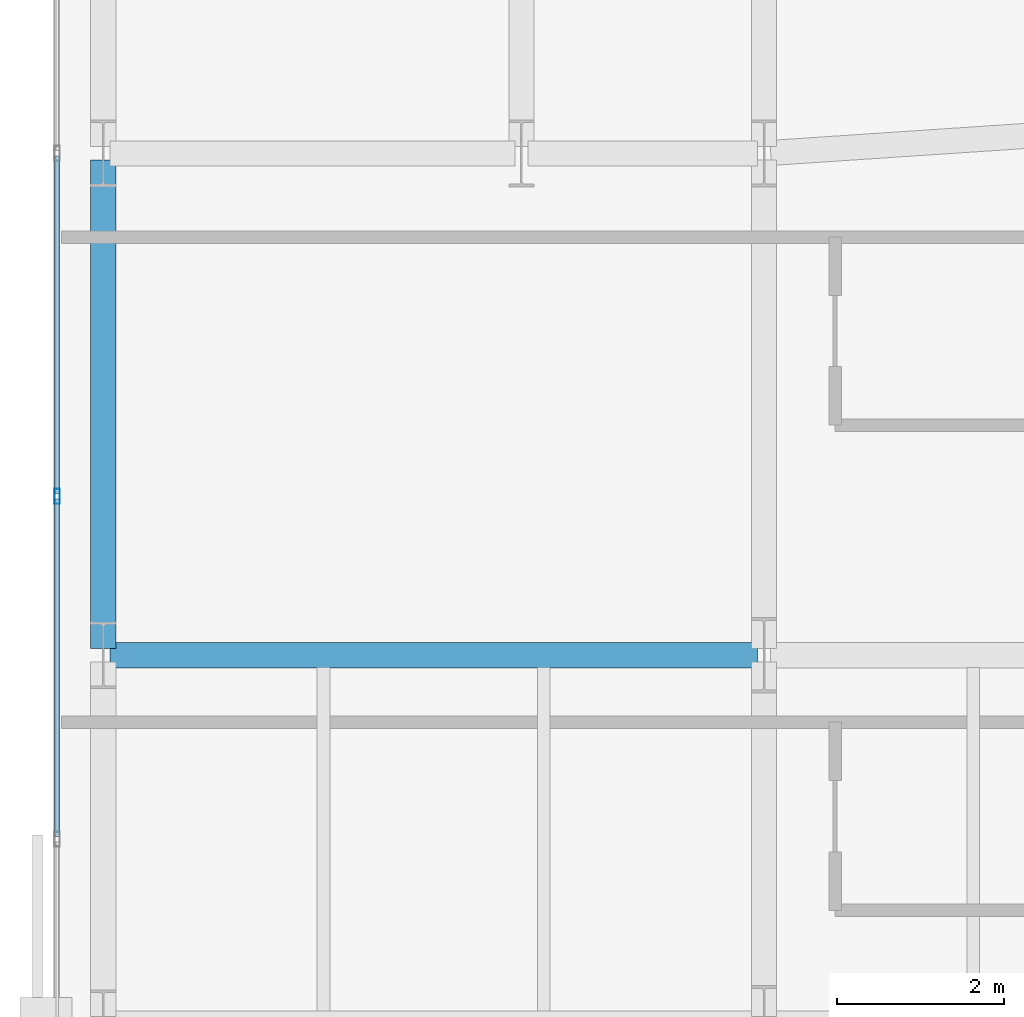
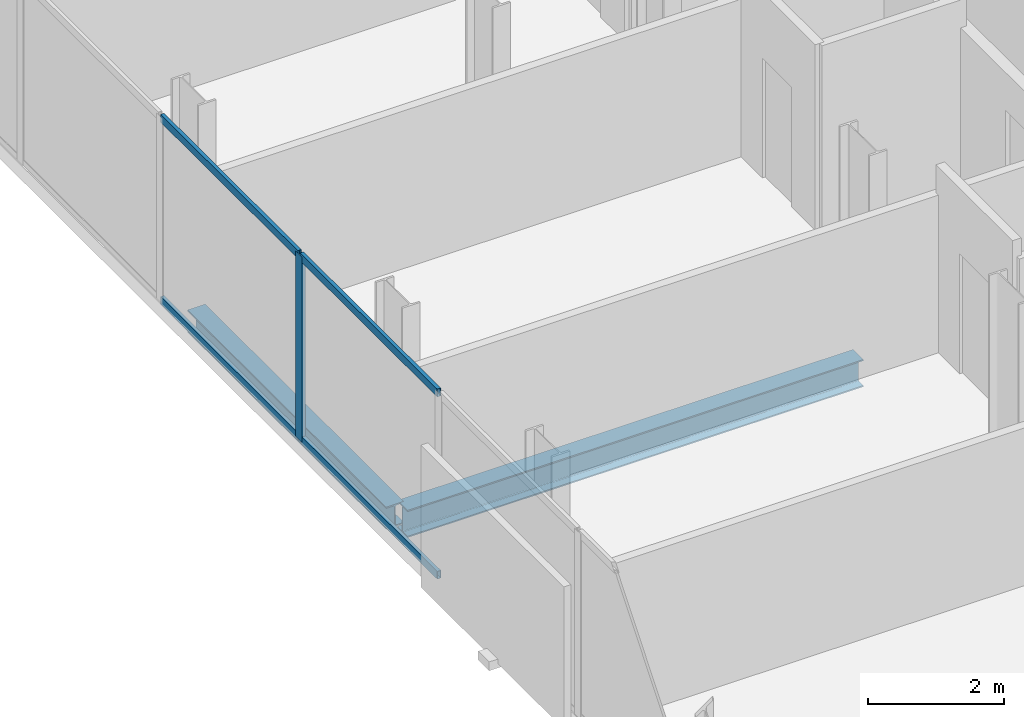
# One storey, part 9 of 32: 5 members, 2 beams, 1 element without a shape of its own.
"""IFC4 building model written with IfcOpenShell, lengths in metres."""

import ifcopenshell
import ifcopenshell.guid

model = None  # the IFC model being written
_history = None  # IfcOwnerHistory: only IFC2X3 demands one
_inside = {}  # id of a spatial element -> (the spatial element, [elements in it])
_under = {}  # id of a project, library or spatial element -> (it, [spatial elements below it])
_declared = {}  # id of a project -> (the project, [libraries it declares])
_typed = {}  # id of a type object -> (the type object, [elements of that type])
_made_of = {}  # id of a material, layer set ... -> (it, [elements and type objects made of it])


def new_model(schema):
    """Start an empty IFC model of exactly this schema.

    Asked for "IFC4X3", IfcOpenShell would pick the latest addendum, in which some entities
    have other attributes; the version numbers below select the first issue.
    IFC2X3 requires an IfcOwnerHistory on every rooted entity: one is made here for all.
    """
    global model, _history
    if schema == "IFC4X3":
        model = ifcopenshell.file(schema_version=(4, 3, 0, 0))
    else:
        model = ifcopenshell.file(schema=schema)
    _inside.clear()
    _under.clear()
    _declared.clear()
    _typed.clear()
    _made_of.clear()
    _history = None
    if model.schema == "IFC2X3":
        org = make("IfcOrganization", Name="unknown")
        user = make(
            "IfcPersonAndOrganization",
            ThePerson=make("IfcPerson", FamilyName="unknown"),
            TheOrganization=org,
        )
        app = make(
            "IfcApplication",
            ApplicationDeveloper=org,
            Version="unknown",
            ApplicationFullName="unknown",
            ApplicationIdentifier="unknown",
        )
        _history = make(
            "IfcOwnerHistory",
            OwningUser=user,
            OwningApplication=app,
            ChangeAction="ADDED",
            CreationDate=0,
        )
    return model


def make(cls, **values):
    """One entity of the class cls with the attributes given. An attribute that is None is left unset."""
    return model.create_entity(
        cls, **{name: value for name, value in values.items() if value is not None}
    )


def rooted(cls, **values):
    """An entity with a GlobalId (a new one), such as an element, a storey or a relation."""
    return make(cls, GlobalId=ifcopenshell.guid.new(), OwnerHistory=_history, **values)


def si_unit(unit_type, name, prefix=None):
    """IfcSIUnit, for example si_unit("LENGTHUNIT", "METRE", prefix="MILLI")."""
    return make("IfcSIUnit", UnitType=unit_type, Prefix=prefix, Name=name)


def assignment(units):
    """IfcUnitAssignment: the units of a project."""
    return None if units is None else make("IfcUnitAssignment", Units=units)


def point(xyz):
    """IfcCartesianPoint."""
    return None if xyz is None else make("IfcCartesianPoint", Coordinates=xyz)


def direction(xyz):
    """IfcDirection."""
    return None if xyz is None else make("IfcDirection", DirectionRatios=xyz)


def frame(location, z_axis=None, x_axis=None):
    """IfcAxis2Placement3D, a coordinate frame: its origin and axes. An axis left out is left unset."""
    return make(
        "IfcAxis2Placement3D",
        Location=point(location),
        Axis=direction(z_axis),
        RefDirection=direction(x_axis),
    )


def frame_2d(location, x_axis=None):
    """IfcAxis2Placement2D, a coordinate frame in the plane: its origin and x axis."""
    return make(
        "IfcAxis2Placement2D", Location=point(location), RefDirection=direction(x_axis)
    )


def origin():
    """The frame at (0, 0, 0) with its axes left unset."""
    return frame((0.0, 0.0, 0.0))


def origin_2d():
    """The frame at (0, 0) in the plane with its x axis left unset."""
    return frame_2d((0.0, 0.0))


def place(relative_to, where):
    """IfcLocalPlacement: puts the frame where relative to a parent placement (None: the world)."""
    return make(
        "IfcLocalPlacement", PlacementRelTo=relative_to, RelativePlacement=where
    )


def context(
    kind, dimensions, precision=None, world=None, true_north=None, identifier=None
):
    """IfcGeometricRepresentationContext, for example the 3D "Model" context."""
    return make(
        "IfcGeometricRepresentationContext",
        ContextIdentifier=identifier,
        ContextType=kind,
        CoordinateSpaceDimension=dimensions,
        Precision=precision,
        WorldCoordinateSystem=world,
        TrueNorth=true_north,
    )


def subcontext(parent, identifier, kind, view, scale=None):
    """IfcGeometricRepresentationSubContext, for example "Body" below "Model"."""
    return make(
        "IfcGeometricRepresentationSubContext",
        ContextIdentifier=identifier,
        ContextType=kind,
        ParentContext=parent,
        TargetScale=scale,
        TargetView=view,
    )


def project(units=None, contexts=None):
    """IfcProject with its units and contexts."""
    return rooted(
        "IfcProject",
        Name="project",
        RepresentationContexts=contexts,
        UnitsInContext=assignment(units),
    )


def spatial(cls, under=None, at=None, **own):
    """A site, building, storey or space (cls), placed at a placement, below another one or the project."""
    s = rooted(cls, ObjectPlacement=at, **own)
    if under is not None:
        _under.setdefault(under.id(), (under, []))[1].append(s)
    return s


def profile(cls, at=None, kind="AREA", **sizes):
    """A parametric profile (cls). Its sizes go by their IFC names, for example OverallWidth=200.0."""
    return make(cls, ProfileType=kind, Position=at, **sizes)


def hollow_rectangle(**sizes):
    """IfcRectangleHollowProfileDef."""
    return profile("IfcRectangleHollowProfileDef", **sizes)


def i_section(**sizes):
    """IfcIShapeProfileDef."""
    return profile("IfcIShapeProfileDef", **sizes)


def extrude(swept, where, along, depth):
    """IfcExtrudedAreaSolid: the profile swept, set in the frame where, extruded along a direction by depth."""
    return make(
        "IfcExtrudedAreaSolid",
        SweptArea=swept,
        Position=where,
        ExtrudedDirection=direction(along),
        Depth=depth,
    )


def shape(context_of_items, identifier, shape_type, items):
    """IfcShapeRepresentation: the items that make up one representation, for example the "Body"."""
    return make(
        "IfcShapeRepresentation",
        ContextOfItems=context_of_items,
        RepresentationIdentifier=identifier,
        RepresentationType=shape_type,
        Items=items,
    )


def material(Name=None, Category=None):
    """IfcMaterial."""
    return make("IfcMaterial", Name=Name, Category=Category)


def layer(
    of_material, thickness, ventilated=None, Name=None, Category=None, Priority=None
):
    """IfcMaterialLayer: one layer of a wall or slab, of a material (None: an air gap)."""
    return make(
        "IfcMaterialLayer",
        Material=of_material,
        LayerThickness=thickness,
        IsVentilated=ventilated,
        Name=Name,
        Category=Category,
        Priority=Priority,
    )


def layer_set(layers, Name=None):
    """IfcMaterialLayerSet."""
    return make("IfcMaterialLayerSet", MaterialLayers=layers, LayerSetName=Name)


def material_profile(
    of_material, cross_section, Name=None, Category=None, Priority=None
):
    """IfcMaterialProfile: a cross section and its material."""
    return make(
        "IfcMaterialProfile",
        Name=Name,
        Material=of_material,
        Profile=cross_section,
        Priority=Priority,
        Category=Category,
    )


def profile_set(profiles, Name=None, composite=None):
    """IfcMaterialProfileSet."""
    return make(
        "IfcMaterialProfileSet",
        Name=Name,
        MaterialProfiles=profiles,
        CompositeProfile=composite,
    )


def made_of(thing, what):
    """Note that an element or type object is made of a material, layer set ...; save() writes the relation."""
    if what is not None:
        _made_of.setdefault(what.id(), (what, []))[1].append(thing)
    return thing


def type_object(cls, material=None, **own):
    """A type object (cls), such as IfcWallType, which elements share."""
    return made_of(rooted(cls, **own), material)


def element(
    cls,
    number,
    at=None,
    inside=None,
    cuts=None,
    type_object=None,
    material=None,
    context=None,
    identifier="Body",
    shape_type=None,
    held_by="IfcProductDefinitionShape",
    body=None,
    shapes=None,
    **own,
):
    """One element of the class cls, such as IfcWall. Its Tag is "e" and its number.

    at: its placement. inside: the storey or other place that contains it. cuts: it is an
    opening in that element (IfcRelVoidsElement). A single representation is given by context,
    identifier, shape_type and body (its items); several are given by shapes. held_by: the class
    of the entity that holds the representations. save() writes the other relations.
    """
    e = rooted(cls, Tag="e%d" % number, ObjectPlacement=at, **own)
    if body is not None:
        shapes = [shape(context, identifier, shape_type, body)]
    if shapes is not None:
        e.Representation = make(held_by, Representations=shapes)
    if inside is not None:
        _inside.setdefault(inside.id(), (inside, []))[1].append(e)
    if cuts is not None:
        rooted(
            "IfcRelVoidsElement", RelatingBuildingElement=cuts, RelatedOpeningElement=e
        )
    if type_object is not None:
        _typed.setdefault(type_object.id(), (type_object, []))[1].append(e)
    return made_of(e, material)


def aggregate(whole, parts):
    """IfcRelAggregates: a whole, such as a stair, and the parts it consists of."""
    return rooted("IfcRelAggregates", RelatingObject=whole, RelatedObjects=parts)


def save(model, path):
    """Write the relations noted so far, then the file.

    IfcRelAggregates (storeys below a building ...), IfcRelContainedInSpatialStructure (elements
    in a storey), IfcRelDefinesByType, IfcRelAssociatesMaterial and IfcRelDeclares: one each for
    every whole, place, type object, material and project.
    """
    for whole, parts in _under.values():
        aggregate(whole, parts)
    for where, things in _inside.values():
        rooted(
            "IfcRelContainedInSpatialStructure",
            RelatedElements=things,
            RelatingStructure=where,
        )
    for kind, things in _typed.values():
        rooted("IfcRelDefinesByType", RelatedObjects=things, RelatingType=kind)
    for what, things in _made_of.values():
        rooted("IfcRelAssociatesMaterial", RelatedObjects=things, RelatingMaterial=what)
    for by, libraries in _declared.values():
        rooted("IfcRelDeclares", RelatingContext=by, RelatedDefinitions=libraries)
    model.write(path)


model = new_model("IFC4")

# Units and contexts
model_context = context("Model", 3, precision=1e-05, world=origin(), true_north=direction((0.0, 1.0)))
body_context = subcontext(model_context, "Body", "Model", "MODEL_VIEW")
ifc_project = project(units=[si_unit("LENGTHUNIT", "METRE"), si_unit("AREAUNIT", "SQUARE_METRE"), si_unit("VOLUMEUNIT", "CUBIC_METRE"), si_unit("PLANEANGLEUNIT", "RADIAN"), si_unit("MASSUNIT", "GRAM", prefix="KILO")], contexts=[model_context])

# Site, building, storey
site_placement = place(None, origin())
site = spatial("IfcSite", under=ifc_project, at=site_placement, CompositionType="ELEMENT")
building_placement = place(site_placement, origin())
building = spatial("IfcBuilding", under=site, at=building_placement, Name="Catumbela Crestline Tower", CompositionType="ELEMENT")
storey_placement = place(building_placement, frame((0.0, 0.0, 69.0)))
storey = spatial("IfcBuildingStorey", under=building, at=storey_placement, Name="L17", CompositionType="ELEMENT", Elevation=69.0)

# Beam
ifc_material_1 = material(Name="Structural steel S355J2", Category="steel")
ifc_material_profile_1 = material_profile(ifc_material_1, i_section(OverallWidth=0.3, OverallDepth=0.49, WebThickness=0.012, FlangeThickness=0.023, FilletRadius=0.027, at=origin_2d()), Name="HEA 500")
ifc_profile_set_1 = profile_set([ifc_material_profile_1], Name="Structural steel S355J2")
beam_type_1 = type_object("IfcBeamType", Name="BG-HEA500", PredefinedType="BEAM", material=ifc_profile_set_1)
beam_1_placement = place(storey_placement, frame((0.68, 18.0, -0.505), z_axis=(1.0, 0.0, 0.0), x_axis=(0.0, 1.0, 0.0)))
element("IfcBeam", 1, at=beam_1_placement, inside=storey, type_object=beam_type_1, Name="L17 Beam BM-L17-WEW54", PredefinedType="BEAM", context=body_context, shape_type="SweptSolid", body=[
    extrude(i_section(OverallWidth=0.3, OverallDepth=0.49, WebThickness=0.012, FlangeThickness=0.023, FilletRadius=0.027, at=origin_2d()), origin(), (0.0, 0.0, 1.0), 7.74),
])

# Curtain wall, member
ifc_material_2 = material(Name="Aluminium alloy AW-6060-T66", Category="aluminium")
ifc_layer = layer(ifc_material_2, 0.18, Name="Aluminium alloy AW-6060-T66")
ifc_layer_set = layer_set([ifc_layer], Name="Aluminium alloy AW-6060-T66")
curtain_wall_type = type_object("IfcCurtainWallType", Name="CWU-Z1", PredefinedType="USERDEFINED", material=ifc_layer_set)
curtain_wall_placement = place(storey_placement, origin())
curtain_wall = element("IfcCurtainWall", 2, at=curtain_wall_placement, inside=storey, type_object=curtain_wall_type, Name="L17 Unitised Curtain Wall CW-L17-E9S1", ObjectType="UNITISED", PredefinedType="USERDEFINED")
ifc_material_profile_2 = material_profile(ifc_material_2, hollow_rectangle(XDim=0.065, YDim=0.18, WallThickness=0.004, at=origin_2d()), Name="ALU 180x65x4")
ifc_profile_set_2 = profile_set([ifc_material_profile_2], Name="Aluminium alloy AW-6060-T66")
member_type_1 = type_object("IfcMemberType", Name="MUL-180X65", PredefinedType="MULLION", material=ifc_profile_set_2)
member_1_placement = place(storey_placement, frame((0.05, 19.9, 0.0), z_axis=(0.0, 0.0, 1.0), x_axis=(1.0, 0.0, 0.0)))
member_1 = element("IfcMember", 3, at=member_1_placement, type_object=member_type_1, Name="CWU-Z1 mullion 7", PredefinedType="MULLION", context=body_context, shape_type="SweptSolid", body=[
    extrude(hollow_rectangle(XDim=0.065, YDim=0.18, WallThickness=0.004, at=origin_2d()), origin(), (0.0, 0.0, 1.0), 3.33),
])

# Beam
ifc_material_profile_3 = material_profile(ifc_material_1, i_section(OverallWidth=0.3, OverallDepth=0.4, WebThickness=0.0135, FlangeThickness=0.024, FilletRadius=0.027, at=origin_2d()), Name="HEB 400")
ifc_profile_set_3 = profile_set([ifc_material_profile_3], Name="Structural steel S355J2")
beam_type_2 = type_object("IfcBeamType", Name="BS-HEB400", PredefinedType="SPANDREL", material=ifc_profile_set_3)
beam_2_placement = place(storey_placement, frame((0.6, 18.08, -0.46), z_axis=(0.0, 1.0, 0.0), x_axis=(-1.0, 0.0, 0.0)))
element("IfcBeam", 4, at=beam_2_placement, inside=storey, type_object=beam_type_2, Name="L17 Spandrel SP-L17-WNS60", PredefinedType="SPANDREL", context=body_context, shape_type="SweptSolid", body=[
    extrude(i_section(OverallWidth=0.3, OverallDepth=0.4, WebThickness=0.0135, FlangeThickness=0.024, FilletRadius=0.027, at=origin_2d()), origin(), (0.0, 0.0, 1.0), 5.84),
])

# Member
ifc_material_profile_4 = material_profile(ifc_material_2, hollow_rectangle(XDim=0.06, YDim=0.14, WallThickness=0.004, at=origin_2d()), Name="ALU 140x60x4")
ifc_profile_set_4 = profile_set([ifc_material_profile_4], Name="Aluminium alloy AW-6060-T66")
member_type_2 = type_object("IfcMemberType", Name="TRN-140X60", PredefinedType="USERDEFINED", material=ifc_profile_set_4)
member_2_placement = place(storey_placement, frame((0.05, 23.9675, 0.03), z_axis=(0.0, -1.0, 0.0), x_axis=(1.0, 0.0, 0.0)))
member_2 = element("IfcMember", 5, at=member_2_placement, type_object=member_type_2, Name="CWU-Z1 transom 6.1", ObjectType="TRANSOM", PredefinedType="USERDEFINED", context=body_context, shape_type="SweptSolid", body=[
    extrude(hollow_rectangle(XDim=0.06, YDim=0.14, WallThickness=0.004, at=origin_2d()), origin(), (0.0, 0.0, 1.0), 4.035),
])

member_3_placement = place(storey_placement, frame((0.05, 23.9675, 3.3), z_axis=(0.0, -1.0, 0.0), x_axis=(1.0, 0.0, 0.0)))
member_3 = element("IfcMember", 6, at=member_3_placement, type_object=member_type_2, Name="CWU-Z1 transom 6.2", ObjectType="TRANSOM", PredefinedType="USERDEFINED", context=body_context, shape_type="SweptSolid", body=[
    extrude(hollow_rectangle(XDim=0.06, YDim=0.14, WallThickness=0.004, at=origin_2d()), origin(), (0.0, 0.0, 1.0), 4.035),
])

member_4_placement = place(storey_placement, frame((0.05, 19.8675, 0.03), z_axis=(0.0, -1.0, 0.0), x_axis=(1.0, 0.0, 0.0)))
member_4 = element("IfcMember", 7, at=member_4_placement, type_object=member_type_2, Name="CWU-Z1 transom 7.1", ObjectType="TRANSOM", PredefinedType="USERDEFINED", context=body_context, shape_type="SweptSolid", body=[
    extrude(hollow_rectangle(XDim=0.06, YDim=0.14, WallThickness=0.004, at=origin_2d()), origin(), (0.0, 0.0, 1.0), 4.035),
])

member_5_placement = place(storey_placement, frame((0.05, 19.8675, 3.3), z_axis=(0.0, -1.0, 0.0), x_axis=(1.0, 0.0, 0.0)))
member_5 = element("IfcMember", 8, at=member_5_placement, type_object=member_type_2, Name="CWU-Z1 transom 7.2", ObjectType="TRANSOM", PredefinedType="USERDEFINED", context=body_context, shape_type="SweptSolid", body=[
    extrude(hollow_rectangle(XDim=0.06, YDim=0.14, WallThickness=0.004, at=origin_2d()), origin(), (0.0, 0.0, 1.0), 4.035),
])

aggregate(curtain_wall, [member_1, member_2, member_3, member_4, member_5])

save(model, "model.ifc")
